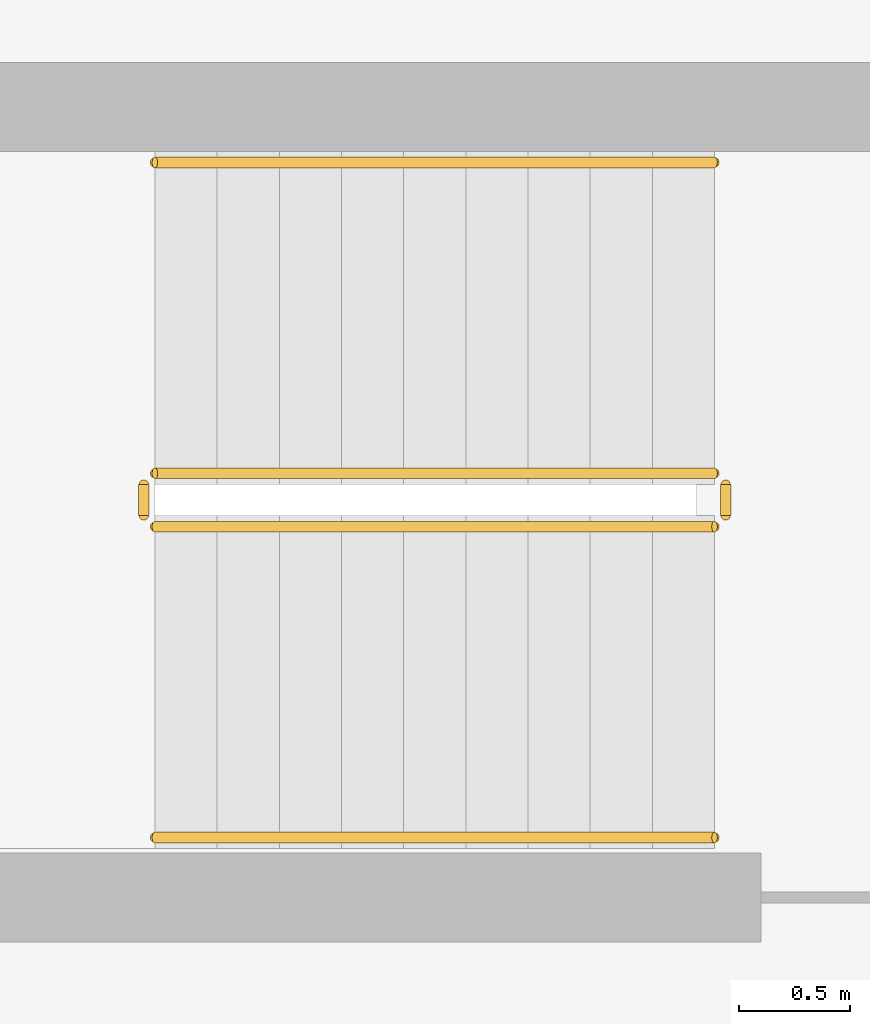
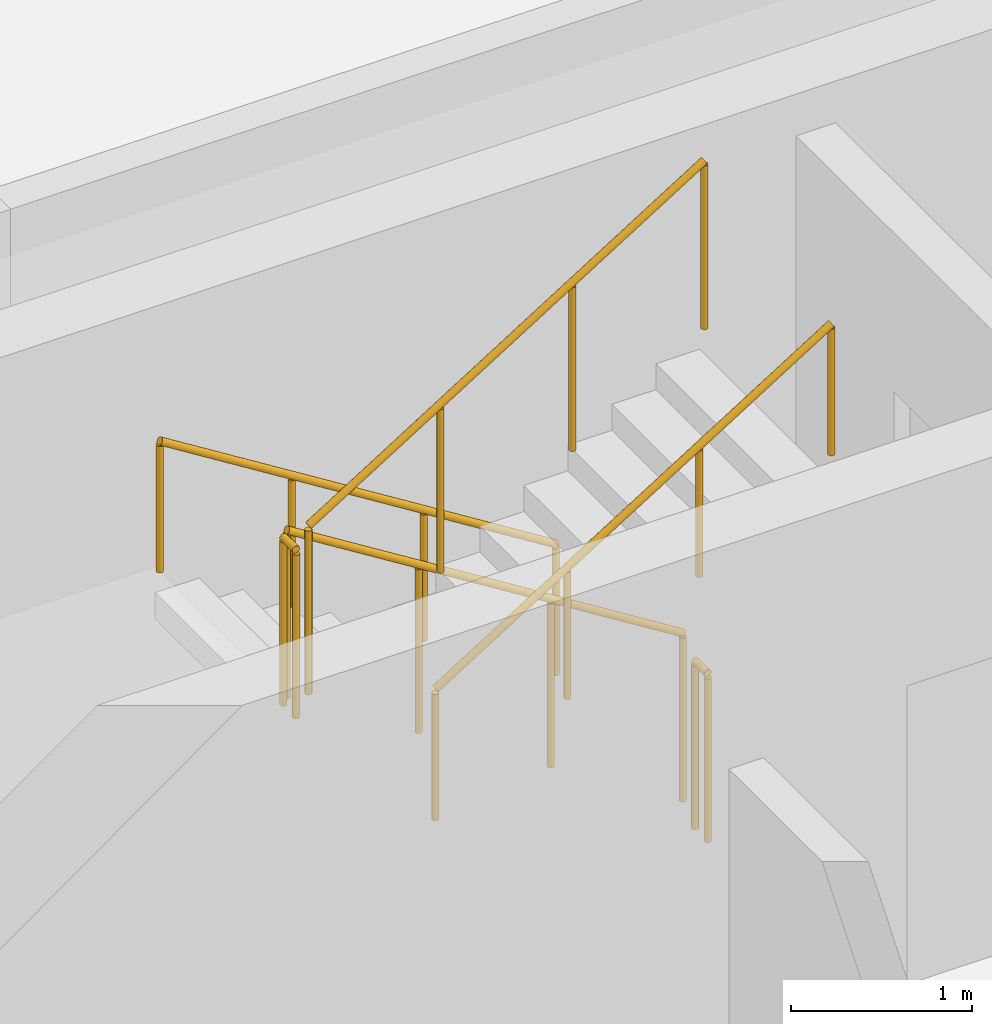
# One storey, part 13 of 14: 6 railings.
"""IFC4 building model written with IfcOpenShell, lengths in metres."""

from ifc_helpers import new_model, si_unit, derived_unit, direction, frame, origin, origin_2d, place, context, subcontext, project, spatial, circle, extrude, material, type_object, element, save


model = new_model("IFC4")

# Units and contexts
model_context = context("Model", 3, precision=1e-05, world=origin(), true_north=direction((0.0, 1.0)))
body_context = subcontext(model_context, "Body", "Model", "MODEL_VIEW")
ifc_project = project(units=[si_unit("LENGTHUNIT", "METRE"), si_unit("AREAUNIT", "SQUARE_METRE"), si_unit("VOLUMEUNIT", "CUBIC_METRE"), si_unit("PLANEANGLEUNIT", "RADIAN"), si_unit("MASSUNIT", "GRAM", prefix="KILO"), derived_unit("THERMALTRANSMITTANCEUNIT", [(si_unit("POWERUNIT", "WATT"), 1), (si_unit("LENGTHUNIT", "METRE"), -2), (si_unit("THERMODYNAMICTEMPERATUREUNIT", "KELVIN"), -1)])], contexts=[model_context])

# Site, building, storey
site_placement = place(None, origin())
site = spatial("IfcSite", under=ifc_project, at=site_placement, CompositionType="ELEMENT")
building_placement = place(site_placement, origin())
building = spatial("IfcBuilding", under=site, at=building_placement, Name="Kivonza Crest Hotel", CompositionType="ELEMENT")
storey_placement = place(building_placement, frame((0.0, 0.0, 152.0)))
storey = spatial("IfcBuildingStorey", under=building, at=storey_placement, Name="L41", CompositionType="ELEMENT", Elevation=152.0)

# Railings
ifc_material_1 = material(Name="Brushed stainless steel handrail", Category="steel")
railing_type_1 = type_object("IfcRailingType", Name="RL-HAND-900", PredefinedType="HANDRAIL", material=ifc_material_1)
railing_1_placement = place(storey_placement, frame((12.239990234375, 36.110107421875, 0.175048828125)))
element("IfcRailing", 1, at=railing_1_placement, inside=storey, type_object=railing_type_1, Name="L41 ST-T1-N stair handrail 1", PredefinedType="HANDRAIL", context=body_context, shape_type="SweptSolid", body=[
    extrude(circle(Radius=0.02392578125, at=origin_2d()), frame((0.0, 0.0, 0.8759765625), z_axis=(-0.848007534815, 0.0, 0.529984170421), x_axis=(0.0, -1.0, 0.0)), (0.0, 0.0, 1.0), 2.9716796875),
    extrude(circle(Radius=0.02099609375, at=origin_2d()), origin(), (0.0, 0.0, 1.0), 0.851806640625),
    extrude(circle(Radius=0.02099609375, at=origin_2d()), frame((-0.840087890625, 0.0, 0.52490234375)), (0.0, 0.0, 1.0), 0.851806640625),
    extrude(circle(Radius=0.02099609375, at=origin_2d()), frame((-1.679931640625, 0.0, 1.050048828125)), (0.0, 0.0, 1.0), 0.851806640625),
    extrude(circle(Radius=0.02099609375, at=origin_2d()), frame((-2.52001953125, 0.0, 1.574951171875)), (0.0, 0.0, 1.0), 0.851806640625),
])
railing_2_placement = place(storey_placement, frame((9.719970703125, 33.070068359375, 1.925048828125)))
element("IfcRailing", 2, at=railing_2_placement, inside=storey, type_object=railing_type_1, Name="L41 ST-T1-N stair handrail 2", PredefinedType="HANDRAIL", context=body_context, shape_type="SweptSolid", body=[
    extrude(circle(Radius=0.02392578125, at=origin_2d()), frame((0.0, 0.0, 0.8759765625), z_axis=(0.848007534815, 0.0, 0.529984170421), x_axis=(0.0, 1.0, 0.0)), (0.0, 0.0, 1.0), 2.9716796875),
    extrude(circle(Radius=0.02099609375, at=origin_2d()), origin(), (0.0, 0.0, 1.0), 0.851806640625),
    extrude(circle(Radius=0.02099609375, at=origin_2d()), frame((0.840087890625, 0.0, 0.52490234375)), (0.0, 0.0, 1.0), 0.851806640625),
    extrude(circle(Radius=0.02099609375, at=origin_2d()), frame((1.679931640625, 0.0, 1.050048828125)), (0.0, 0.0, 1.0), 0.851806640625),
    extrude(circle(Radius=0.02099609375, at=origin_2d()), frame((2.52001953125, 0.0, 1.574951171875)), (0.0, 0.0, 1.0), 0.851806640625),
])
ifc_material_2 = material(Name="Painted steel balustrade", Category="steel")
railing_type_2 = type_object("IfcRailingType", Name="RL-STAIR-1150", PredefinedType="BALUSTRADE", material=ifc_material_2)
railing_3_placement = place(storey_placement, frame((12.239990234375, 34.7099609375, 0.175048828125)))
element("IfcRailing", 3, at=railing_3_placement, inside=storey, type_object=railing_type_2, Name="L41 ST-T1-N stair guard 1", PredefinedType="BALUSTRADE", context=body_context, shape_type="SweptSolid", body=[
    extrude(circle(Radius=0.02392578125, at=origin_2d()), frame((0.0, 0.0, 1.1259765625), z_axis=(-0.848007534815, 0.0, 0.529984170421), x_axis=(0.0, -1.0, 0.0)), (0.0, 0.0, 1.0), 2.9716796875),
    extrude(circle(Radius=0.02099609375, at=origin_2d()), origin(), (0.0, 0.0, 1.0), 1.101806640625),
    extrude(circle(Radius=0.02099609375, at=origin_2d()), frame((-0.840087890625, 0.0, 0.52490234375)), (0.0, 0.0, 1.0), 1.101806640625),
    extrude(circle(Radius=0.02099609375, at=origin_2d()), frame((-1.679931640625, 0.0, 1.050048828125)), (0.0, 0.0, 1.0), 1.101806640625),
    extrude(circle(Radius=0.02099609375, at=origin_2d()), frame((-2.52001953125, 0.0, 1.574951171875)), (0.0, 0.0, 1.0), 1.101806640625),
])
railing_4_placement = place(storey_placement, frame((9.669921875, 34.659912109375, 1.75)))
element("IfcRailing", 4, at=railing_4_placement, inside=storey, type_object=railing_type_2, Name="L41 ST-T1-N stair guard 2", PredefinedType="BALUSTRADE", context=body_context, shape_type="SweptSolid", body=[
    extrude(circle(Radius=0.02392578125, at=origin_2d()), frame((0.0, 0.0, 1.1259765625), z_axis=(0.0, -1.0, 0.0), x_axis=(1.0, 0.0, 0.0)), (0.0, 0.0, 1.0), 0.139892578125),
    extrude(circle(Radius=0.02099609375, at=origin_2d()), origin(), (0.0, 0.0, 1.0), 1.101806640625),
    extrude(circle(Radius=0.02099609375, at=origin_2d()), frame((0.0, -0.139892578125, 0.0)), (0.0, 0.0, 1.0), 1.101806640625),
])
railing_5_placement = place(storey_placement, frame((9.719970703125, 34.469970703125, 1.925048828125)))
element("IfcRailing", 5, at=railing_5_placement, inside=storey, type_object=railing_type_2, Name="L41 ST-T1-N stair guard 3", PredefinedType="BALUSTRADE", context=body_context, shape_type="SweptSolid", body=[
    extrude(circle(Radius=0.02392578125, at=origin_2d()), frame((0.0, 0.0, 1.1259765625), z_axis=(0.848007534815, 0.0, 0.529984170421), x_axis=(0.0, 1.0, 0.0)), (0.0, 0.0, 1.0), 2.9716796875),
    extrude(circle(Radius=0.02099609375, at=origin_2d()), origin(), (0.0, 0.0, 1.0), 1.101806640625),
    extrude(circle(Radius=0.02099609375, at=origin_2d()), frame((0.840087890625, 0.0, 0.52490234375)), (0.0, 0.0, 1.0), 1.101806640625),
    extrude(circle(Radius=0.02099609375, at=origin_2d()), frame((1.679931640625, 0.0, 1.050048828125)), (0.0, 0.0, 1.0), 1.101806640625),
    extrude(circle(Radius=0.02099609375, at=origin_2d()), frame((2.52001953125, 0.0, 1.574951171875)), (0.0, 0.0, 1.0), 1.101806640625),
])
railing_6_placement = place(storey_placement, frame((12.2900390625, 34.659912109375, 0.0)))
element("IfcRailing", 6, at=railing_6_placement, inside=storey, type_object=railing_type_2, Name="L41 ST-T1-N stair guard 4", PredefinedType="BALUSTRADE", context=body_context, shape_type="SweptSolid", body=[
    extrude(circle(Radius=0.02392578125, at=origin_2d()), frame((0.0, 0.0, 1.1259765625), z_axis=(0.0, -1.0, 0.0), x_axis=(1.0, 0.0, 0.0)), (0.0, 0.0, 1.0), 0.139892578125),
    extrude(circle(Radius=0.02099609375, at=origin_2d()), origin(), (0.0, 0.0, 1.0), 1.101806640625),
    extrude(circle(Radius=0.02099609375, at=origin_2d()), frame((0.0, -0.139892578125, 0.0)), (0.0, 0.0, 1.0), 1.101806640625),
])

save(model, "model.ifc")
